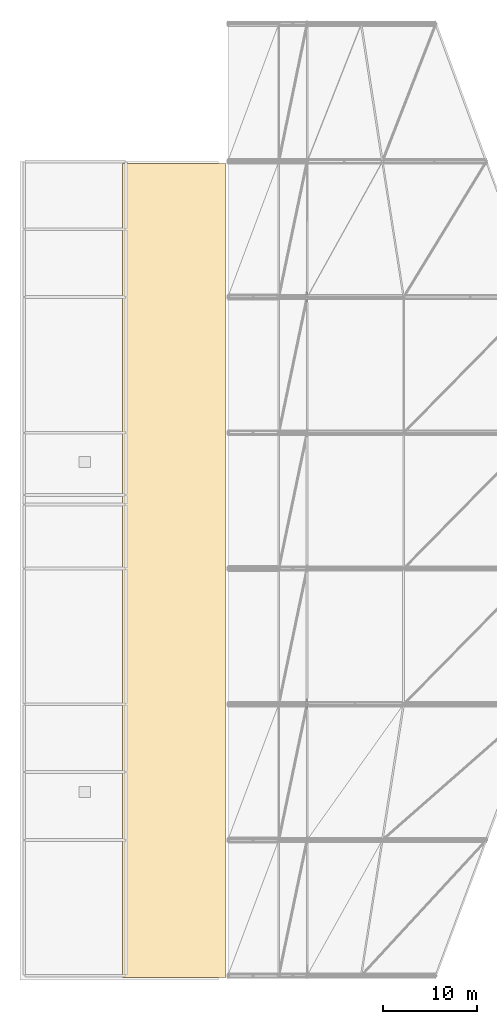
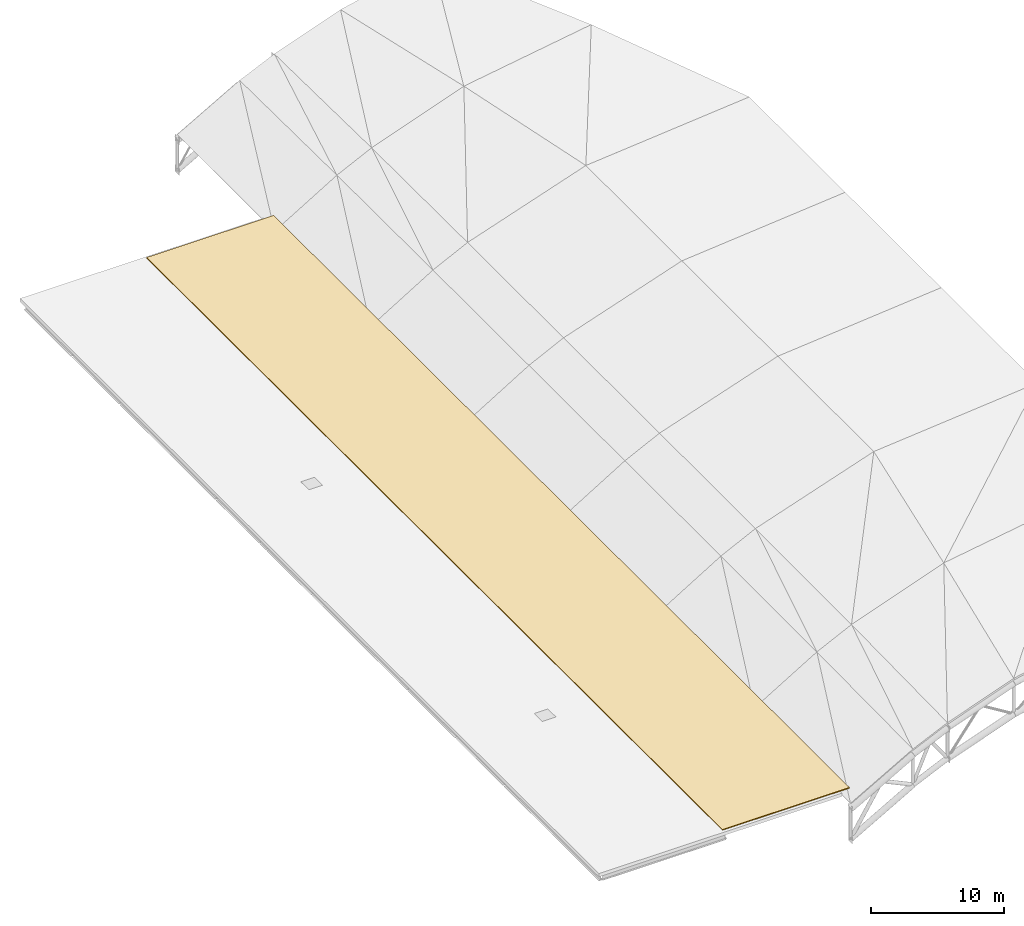
# One storey, part 36 of 36: 1 covering.
"""IFC4 building model written with IfcOpenShell, lengths in metres."""

from ifc_helpers import new_model, si_unit, direction, frame, origin, place, context, subcontext, project, spatial, polyline, outline, extrude, material, layer, layer_set, type_object, element, save


model = new_model("IFC4")

# Units and contexts
model_context = context("Model", 3, precision=1e-05, world=origin(), true_north=direction((0.0, 1.0)))
body_context = subcontext(model_context, "Body", "Model", "MODEL_VIEW")
ifc_project = project(units=[si_unit("LENGTHUNIT", "METRE"), si_unit("AREAUNIT", "SQUARE_METRE"), si_unit("VOLUMEUNIT", "CUBIC_METRE"), si_unit("PLANEANGLEUNIT", "RADIAN"), si_unit("MASSUNIT", "GRAM", prefix="KILO")], contexts=[model_context])

# Site, building, storey
site_placement = place(None, origin())
site = spatial("IfcSite", under=ifc_project, at=site_placement, CompositionType="ELEMENT")
building_placement = place(site_placement, origin())
building = spatial("IfcBuilding", under=site, at=building_placement, Name="Koshinbarg Plaza Stadium", CompositionType="ELEMENT")
storey_placement = place(building_placement, frame((0.0, 0.0, 34.199951171875)))
storey = spatial("IfcBuildingStorey", under=building, at=storey_placement, Name="RF", CompositionType="ELEMENT", Elevation=34.199951171875)

# Covering
ifc_material = material(Name="EPDM waterproofing membrane and rigid mineral-wool roof insulation")
ifc_layer = layer(ifc_material, 0.080078125)
ifc_layer_set = layer_set([ifc_layer], Name="EPDM waterproofing membrane and rigid mineral-wool roof insulation")
covering_type = type_object("IfcCoveringType", Name="COV-ROOFING-01", PredefinedType="ROOFING", material=ifc_layer_set)
covering_placement = place(storey_placement, origin())
element("IfcCovering", 1, at=covering_placement, inside=storey, type_object=covering_type, Name="RF insulated membrane roofing RFG-V1-T", PredefinedType="ROOFING", context=body_context, shape_type="SweptSolid", body=[
    extrude(outline(polyline([(35.0, 25.300048828125), (46.0, 25.300048828125), (46.0, 111.699951171875), (35.0, 111.699951171875), (35.0, 25.300048828125)])), origin(), (0.0, 0.0, 1.0), 0.080078125),
])

save(model, "model.ifc")
